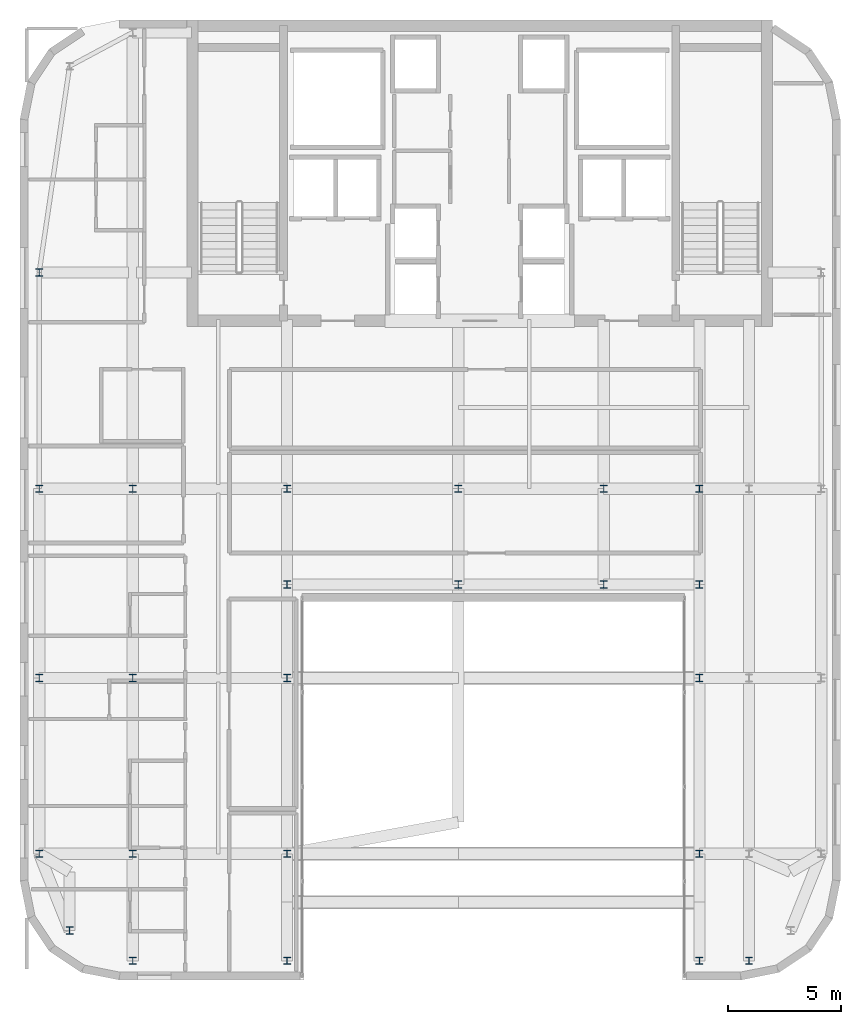
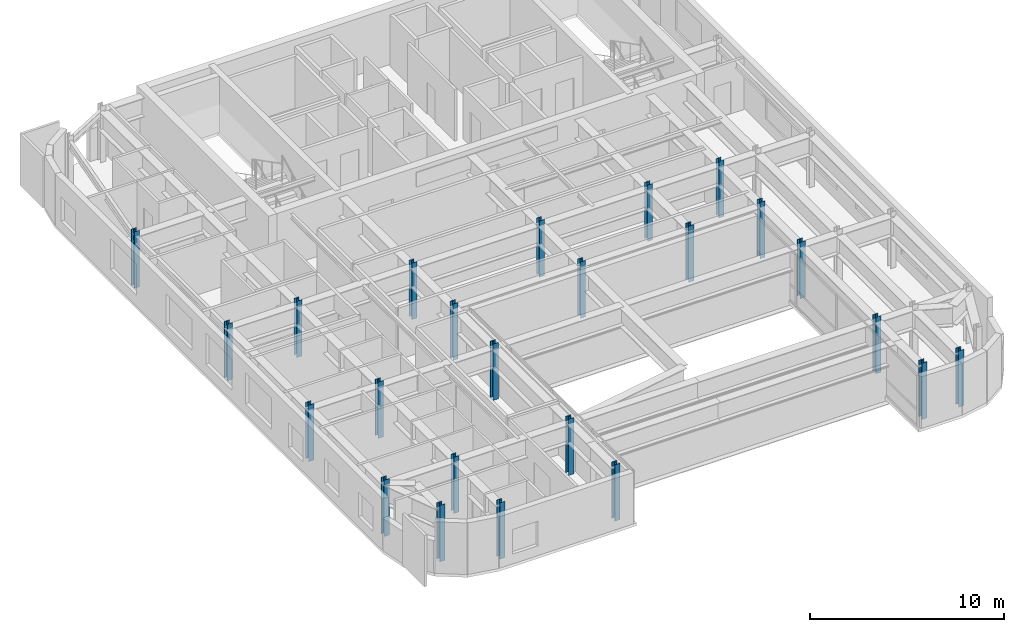
# One storey, part 1 of 21: 24 columns.
"""IFC4 building model written with IfcOpenShell, lengths in metres."""

from ifc_helpers import new_model, si_unit, direction, frame, origin, origin_2d, place, context, subcontext, project, spatial, i_section, extrude, source, transform, mapped, material, material_profile, profile_set, type_object, type_shapes, element, save


model = new_model("IFC4")

# Units and contexts
model_context = context("Model", 3, precision=1e-05, world=origin(), true_north=direction((0.0, 1.0)))
body_context = subcontext(model_context, "Body", "Model", "MODEL_VIEW")
ifc_project = project(units=[si_unit("LENGTHUNIT", "METRE"), si_unit("AREAUNIT", "SQUARE_METRE"), si_unit("VOLUMEUNIT", "CUBIC_METRE"), si_unit("PLANEANGLEUNIT", "RADIAN"), si_unit("MASSUNIT", "GRAM", prefix="KILO")], contexts=[model_context])

# Site, building, storey
site_placement = place(None, origin())
site = spatial("IfcSite", under=ifc_project, at=site_placement, CompositionType="ELEMENT")
building_placement = place(site_placement, origin())
building = spatial("IfcBuilding", under=site, at=building_placement, Name="Tolvann Quenvar Hotel", CompositionType="ELEMENT")
storey_placement = place(building_placement, frame((0.0, 0.0, 266.5)))
storey = spatial("IfcBuildingStorey", under=building, at=storey_placement, Name="L71", CompositionType="ELEMENT", Elevation=266.5)

# Columns
ifc_material = material(Name="Steel Grade 350", Category="steel")
ifc_material_profile_1 = material_profile(ifc_material, i_section(OverallWidth=0.30908203125, OverallDepth=0.321044921875, WebThickness=0.013916015625, FlangeThickness=0.021728515625, FilletRadius=0.0166015625, at=origin_2d()), Name="310UC137")
ifc_profile_set_1 = profile_set([ifc_material_profile_1], Name="Steel Grade 350")
column_type_1 = type_object("IfcColumnType", Name="COL_310UC137", PredefinedType="COLUMN", material=ifc_profile_set_1)
shared_shape_1 = source(origin(), body_context, "Body", "SweptSolid", [
    extrude(i_section(OverallWidth=0.30908203125, OverallDepth=0.321044921875, WebThickness=0.013916015625, FlangeThickness=0.021728515625, FilletRadius=0.0166015625, at=origin_2d()), origin(), (0.0, 0.0, 1.0), 3.550048828125),
])
type_shapes(column_type_1, [shared_shape_1])
for number, where, z_axis, x_axis, name in (
    (1, (4.800048828125, 4.800048828125, 0.0), (0.0, 0.0, 1.0), (1.0, 0.0, 0.0), "Column B2 (L71)"),
    (2, (3.449951171875, 8.199951171875, 0.0), (0.0, 0.0, 1.0), (1.0, 0.0, 0.0), "Column B3 (L71)"),
    (3, (3.449951171875, 16.0, 0.0), (0.0, 0.0, 1.0), (1.0, 0.0, 0.0), "Column B4 (L71)"),
    (4, (7.60009765625, 3.449951171875, 0.0), (0.0, 0.0, 1.0), (1.0, 0.0, 0.0), "Column C2 (L71)"),
    (5, (14.449951171875, 3.449951171875, 0.0), (0.0, 0.0, 1.0), (1.0, 0.0, 0.0), "Column D2 (L71)"),
    (6, (14.449951171875, 8.199951171875, 0.0), (0.0, 0.0, 1.0), (1.0, 0.0, 0.0), "Column D3 (L71)"),
    (7, (14.449951171875, 16.0, 0.0), (0.0, 0.0, 1.0), (1.0, 0.0, 0.0), "Column D4 (L71)"),
    (8, (32.75, 3.449951171875, 0.0), (0.0, 0.0, 1.0), (1.0, 0.0, 0.0), "Column FP2 (L71)"),
    (9, (32.75, 8.199951171875, 0.0), (0.0, 0.0, 1.0), (1.0, 0.0, 0.0), "Column FP3 (L71)"),
    (10, (32.75, 16.0, 0.0), (0.0, 0.0, 1.0), (1.0, 0.0, 0.0), "Column FP4 (L71)"),
    (11, (34.949951171875, 3.449951171875, 0.0), (0.0, 0.0, 1.0), (1.0, 0.0, 0.0), "Column F2 (L71)"),
    (12, (3.449951171875, 24.39990234375, 0.0), (0.0, 0.0, 1.0), (1.0, 0.0, 0.0), "Column B5 (L71)"),
    (13, (14.449951171875, 20.14990234375, 0.0), (0.0, 0.0, 1.0), (1.0, 0.0, 0.0), "Column D4P (L71)"),
    (14, (22.050048828125, 20.14990234375, 0.0), (0.0, 0.0, 1.0), (1.0, 0.0, 0.0), "Column E4P (L71)"),
    (15, (28.5, 20.14990234375, 0.0), (0.0, 0.0, 1.0), (1.0, 0.0, 0.0), "Column M4P (L71)"),
    (16, (32.75, 20.14990234375, 0.0), (0.0, 0.0, 1.0), (1.0, 0.0, 0.0), "Column FP4P (L71)"),
    (17, (3.449951171875, 34.0, 0.0), (0.0, 0.0, 1.0), (1.0, 0.0, 0.0), "Column BD6 (L71)"),
):
    element("IfcColumn", number, at=place(storey_placement, frame(where, z_axis=z_axis, x_axis=x_axis)), inside=storey, type_object=column_type_1, Name=name, PredefinedType="COLUMN", context=body_context, shape_type="MappedRepresentation", body=[
        mapped(shared_shape_1, transform((0.0, 0.0, 0.0), x_axis=(1.0, 0.0, 0.0), y_axis=(0.0, 1.0, 0.0), z_axis=(0.0, 0.0, 1.0), scale=1.0)),
    ])
ifc_material_profile_2 = material_profile(ifc_material, i_section(OverallWidth=0.306884765625, OverallDepth=0.31494140625, WebThickness=0.011962890625, FlangeThickness=0.018798828125, FilletRadius=0.0166015625, at=origin_2d()), Name="310UC118")
ifc_profile_set_2 = profile_set([ifc_material_profile_2], Name="Steel Grade 350")
column_type_2 = type_object("IfcColumnType", Name="COL_310UC118", PredefinedType="COLUMN", material=ifc_profile_set_2)
shared_shape_2 = source(origin(), body_context, "Body", "SweptSolid", [
    extrude(i_section(OverallWidth=0.306884765625, OverallDepth=0.31494140625, WebThickness=0.011962890625, FlangeThickness=0.018798828125, FilletRadius=0.0166015625, at=origin_2d()), origin(), (0.0, 0.0, 1.0), 3.550048828125),
])
type_shapes(column_type_2, [shared_shape_2])
for number, where, z_axis, x_axis, name in (
    (18, (7.60009765625, 8.199951171875, 0.0), (0.0, 0.0, 1.0), (1.0, 0.0, 0.0), "Column C3 (L71)"),
    (19, (7.60009765625, 16.0, 0.0), (0.0, 0.0, 1.0), (1.0, 0.0, 0.0), "Column C4 (L71)"),
    (20, (7.60009765625, 24.39990234375, 0.0), (0.0, 0.0, 1.0), (1.0, 0.0, 0.0), "Column C5 (L71)"),
    (21, (14.449951171875, 24.39990234375, 0.0), (0.0, 0.0, 1.0), (1.0, 0.0, 0.0), "Column D5 (L71)"),
    (22, (22.050048828125, 24.39990234375, 0.0), (0.0, 0.0, 1.0), (1.0, 0.0, 0.0), "Column E5 (L71)"),
    (23, (28.5, 24.39990234375, 0.0), (0.0, 0.0, 1.0), (1.0, 0.0, 0.0), "Column M5 (L71)"),
    (24, (32.75, 24.39990234375, 0.0), (0.0, 0.0, 1.0), (1.0, 0.0, 0.0), "Column FP5 (L71)"),
):
    element("IfcColumn", number, at=place(storey_placement, frame(where, z_axis=z_axis, x_axis=x_axis)), inside=storey, type_object=column_type_2, Name=name, PredefinedType="COLUMN", context=body_context, shape_type="MappedRepresentation", body=[
        mapped(shared_shape_2, transform((0.0, 0.0, 0.0), x_axis=(1.0, 0.0, 0.0), y_axis=(0.0, 1.0, 0.0), z_axis=(0.0, 0.0, 1.0), scale=1.0)),
    ])

save(model, "model.ifc")
